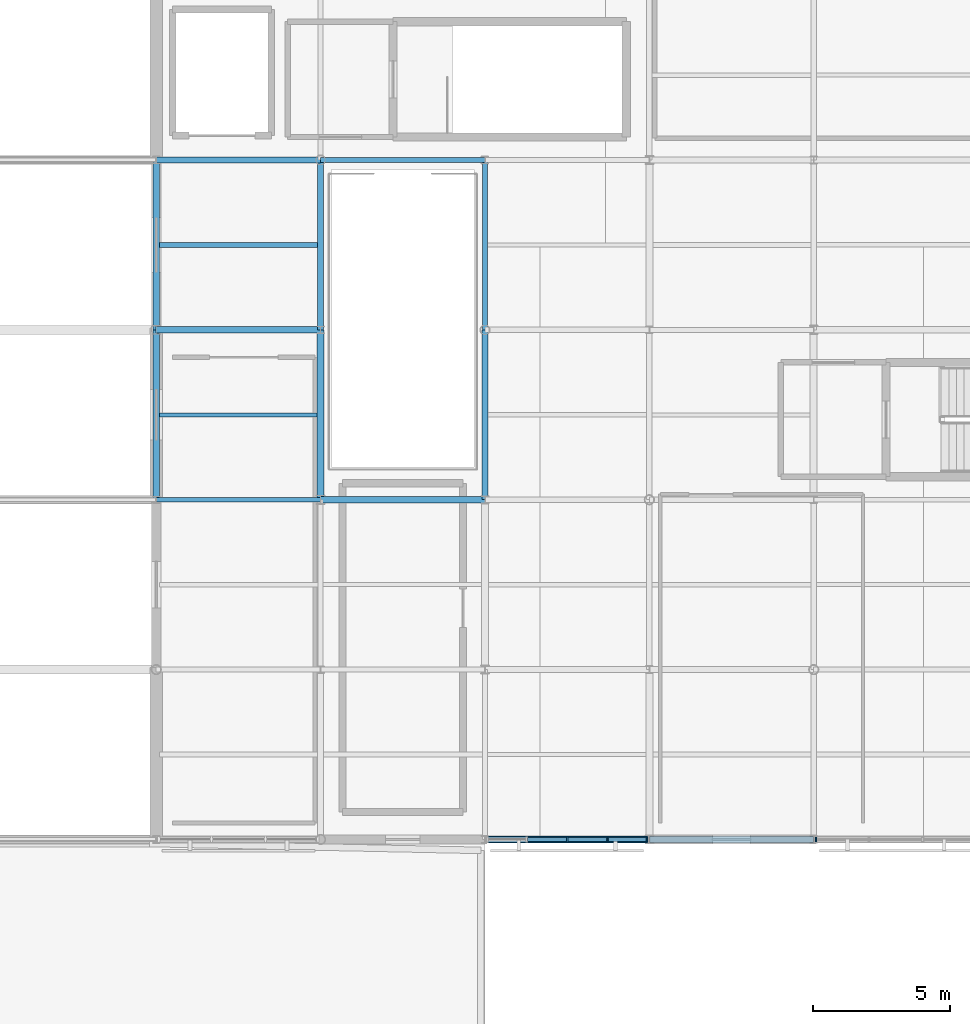
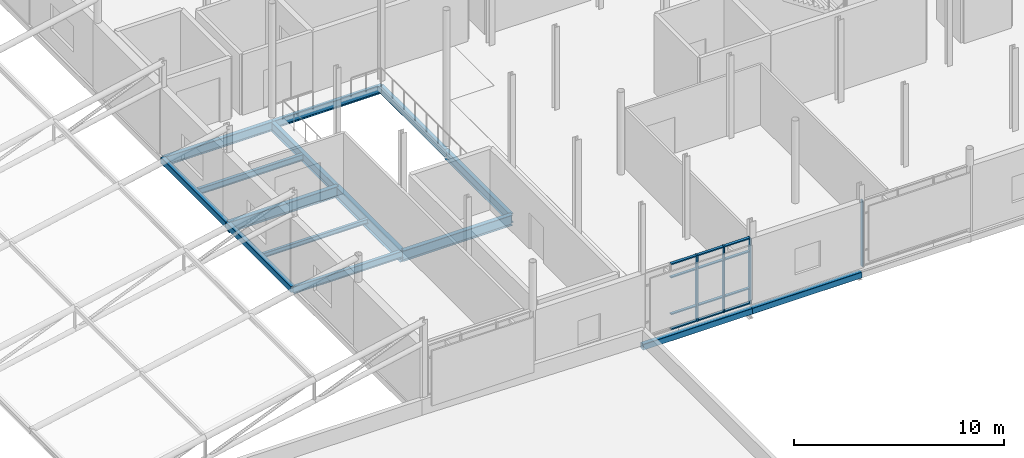
# One storey, part 22 of 84: 16 members, 15 beams, 2 elements without a shape of their own.
"""IFC4 building model written with IfcOpenShell, lengths in metres."""

from ifc_helpers import new_model, si_unit, direction, frame, origin, origin_2d, place, context, subcontext, project, spatial, rectangle, hollow_rectangle, i_section, extrude, material, layer, layer_set, material_profile, profile_set, type_object, element, aggregate, save


model = new_model("IFC4")

# Units and contexts
model_context = context("Model", 3, precision=1e-05, world=origin(), true_north=direction((0.0, 1.0)))
body_context = subcontext(model_context, "Body", "Model", "MODEL_VIEW")
ifc_project = project(units=[si_unit("LENGTHUNIT", "METRE"), si_unit("AREAUNIT", "SQUARE_METRE"), si_unit("VOLUMEUNIT", "CUBIC_METRE"), si_unit("PLANEANGLEUNIT", "RADIAN"), si_unit("MASSUNIT", "GRAM", prefix="KILO")], contexts=[model_context])

# Site, building, storey
site_placement = place(None, origin())
site = spatial("IfcSite", under=ifc_project, at=site_placement, CompositionType="ELEMENT")
building_placement = place(site_placement, origin())
building = spatial("IfcBuilding", under=site, at=building_placement, Name="Mirzam Square Science Centre", CompositionType="ELEMENT")
storey_placement = place(building_placement, frame((0.0, 0.0, 10.800048828125)))
storey = spatial("IfcBuildingStorey", under=building, at=storey_placement, Name="L02", CompositionType="ELEMENT", Elevation=10.800048828125)

# Beams
ifc_material_1 = material(Name="Steel S355", Category="steel")
ifc_material_profile_1 = material_profile(ifc_material_1, i_section(OverallWidth=0.1787109375, OverallDepth=0.409423828125, WebThickness=0.0087890625, FlangeThickness=0.014404296875, FilletRadius=0.01025390625, at=origin_2d()), Name="406x178x67UB")
ifc_profile_set_1 = profile_set([ifc_material_profile_1], Name="Steel S355")
beam_type_1 = type_object("IfcBeamType", Name="BM-UB406", PredefinedType="BEAM", material=ifc_profile_set_1)
beam_1_placement = place(storey_placement, frame((18.0, 49.60009765625, -0.46484375), z_axis=(1.0, 0.0, 0.0), x_axis=(0.0, 1.0, 0.0)))
element("IfcBeam", 1, at=beam_1_placement, inside=storey, type_object=beam_type_1, Name="L02 girder X4-9", PredefinedType="BEAM", context=body_context, shape_type="SweptSolid", body=[
    extrude(i_section(OverallWidth=0.1787109375, OverallDepth=0.409423828125, WebThickness=0.0087890625, FlangeThickness=0.014404296875, FilletRadius=0.01025390625, at=origin_2d()), origin(), (0.0, 0.0, 1.0), 6.0),
])
ifc_material_profile_2 = material_profile(ifc_material_1, i_section(OverallWidth=0.19140625, OverallDepth=0.4599609375, WebThickness=0.010009765625, FlangeThickness=0.01611328125, FilletRadius=0.01025390625, at=origin_2d()), Name="457x191x82UB")
ifc_profile_set_2 = profile_set([ifc_material_profile_2], Name="Steel S355")
beam_type_2 = type_object("IfcBeamType", Name="BM-UB457", PredefinedType="BEAM", material=ifc_profile_set_2)
beam_2_placement = place(storey_placement, frame((24.0, 62.0, -0.489990234375), z_axis=(1.0, 0.0, 0.0), x_axis=(0.0, 1.0, 0.0)))
element("IfcBeam", 2, at=beam_2_placement, inside=storey, type_object=beam_type_2, Name="L02 girder X5-11", PredefinedType="BEAM", context=body_context, shape_type="SweptSolid", body=[
    extrude(i_section(OverallWidth=0.19140625, OverallDepth=0.4599609375, WebThickness=0.010009765625, FlangeThickness=0.01611328125, FilletRadius=0.01025390625, at=origin_2d()), origin(), (0.0, 0.0, 1.0), 6.0),
])
beam_3_placement = place(storey_placement, frame((30.0, 55.800048828125, -0.489990234375), z_axis=(0.0, 1.0, 0.0), x_axis=(-1.0, 0.0, 0.0)))
element("IfcBeam", 3, at=beam_3_placement, inside=storey, type_object=beam_type_2, Name="L02 girder Y6-10", PredefinedType="BEAM", context=body_context, shape_type="SweptSolid", body=[
    extrude(i_section(OverallWidth=0.19140625, OverallDepth=0.4599609375, WebThickness=0.010009765625, FlangeThickness=0.01611328125, FilletRadius=0.01025390625, at=origin_2d()), origin(), (0.0, 0.0, 1.0), 6.199951171875),
])
ifc_material_profile_3 = material_profile(ifc_material_1, i_section(OverallWidth=0.2099609375, OverallDepth=0.53662109375, WebThickness=0.0107421875, FlangeThickness=0.017333984375, FilletRadius=0.0126953125, at=origin_2d()), Name="533x210x101UB")
ifc_profile_set_3 = profile_set([ifc_material_profile_3], Name="Steel S355")
beam_type_3 = type_object("IfcBeamType", Name="BM-UB533", PredefinedType="BEAM", material=ifc_profile_set_3)
beam_4_placement = place(storey_placement, frame((18.0, 62.0, -0.528564453125), z_axis=(1.0, 0.0, 0.0), x_axis=(0.0, 1.0, 0.0)))
element("IfcBeam", 4, at=beam_4_placement, inside=storey, type_object=beam_type_3, Name="L02 girder X4-11", PredefinedType="BEAM", context=body_context, shape_type="SweptSolid", body=[
    extrude(i_section(OverallWidth=0.2099609375, OverallDepth=0.53662109375, WebThickness=0.0107421875, FlangeThickness=0.017333984375, FilletRadius=0.0126953125, at=origin_2d()), origin(), (0.0, 0.0, 1.0), 6.0),
])
for number, where, z_axis, x_axis, name in (
    (5, (24.0, 55.800048828125, -0.528564453125), (0.0, 1.0, 0.0), (-1.0, 0.0, 0.0), "L02 girder Y5-10"),
    (6, (30.0, 49.60009765625, -0.528564453125), (0.0, 1.0, 0.0), (-1.0, 0.0, 0.0), "L02 girder Y6-9"),
):
    element("IfcBeam", number, at=place(storey_placement, frame(where, z_axis=z_axis, x_axis=x_axis)), inside=storey, type_object=beam_type_3, Name=name, PredefinedType="BEAM", context=body_context, shape_type="SweptSolid", body=[
        extrude(i_section(OverallWidth=0.2099609375, OverallDepth=0.53662109375, WebThickness=0.0107421875, FlangeThickness=0.017333984375, FilletRadius=0.0126953125, at=origin_2d()), origin(), (0.0, 0.0, 1.0), 6.199951171875),
    ])
ifc_material_profile_4 = material_profile(ifc_material_1, i_section(OverallWidth=0.22900390625, OverallDepth=0.6123046875, WebThickness=0.011962890625, FlangeThickness=0.01953125, FilletRadius=0.0126953125, at=origin_2d()), Name="610x229x125UB")
ifc_profile_set_4 = profile_set([ifc_material_profile_4], Name="Steel S355")
beam_type_4 = type_object("IfcBeamType", Name="BM-UB610", PredefinedType="BEAM", material=ifc_profile_set_4)
for number, where, z_axis, x_axis, name in (
    (7, (24.0, 49.60009765625, -0.566162109375), (1.0, 0.0, 0.0), (0.0, 1.0, 0.0), "L02 girder X5-9"),
    (8, (18.0, 55.800048828125, -0.566162109375), (1.0, 0.0, 0.0), (0.0, 1.0, 0.0), "L02 girder X4-10"),
):
    element("IfcBeam", number, at=place(storey_placement, frame(where, z_axis=z_axis, x_axis=x_axis)), inside=storey, type_object=beam_type_4, Name=name, PredefinedType="BEAM", context=body_context, shape_type="SweptSolid", body=[
        extrude(i_section(OverallWidth=0.22900390625, OverallDepth=0.6123046875, WebThickness=0.011962890625, FlangeThickness=0.01953125, FilletRadius=0.0126953125, at=origin_2d()), origin(), (0.0, 0.0, 1.0), 6.0),
    ])
ifc_material_profile_5 = material_profile(ifc_material_1, i_section(OverallWidth=0.25439453125, OverallDepth=0.6875, WebThickness=0.01318359375, FlangeThickness=0.02099609375, FilletRadius=0.01513671875, at=origin_2d()), Name="686x254x152UB")
ifc_profile_set_5 = profile_set([ifc_material_profile_5], Name="Steel S355")
beam_type_5 = type_object("IfcBeamType", Name="BM-UB686", PredefinedType="BEAM", material=ifc_profile_set_5)
beam_5_placement = place(storey_placement, frame((24.0, 49.60009765625, -0.603759765625), z_axis=(0.0, 1.0, 0.0), x_axis=(-1.0, 0.0, 0.0)))
element("IfcBeam", 9, at=beam_5_placement, inside=storey, type_object=beam_type_5, Name="L02 girder Y5-9", PredefinedType="BEAM", context=body_context, shape_type="SweptSolid", body=[
    extrude(i_section(OverallWidth=0.25439453125, OverallDepth=0.6875, WebThickness=0.01318359375, FlangeThickness=0.02099609375, FilletRadius=0.01513671875, at=origin_2d()), origin(), (0.0, 0.0, 1.0), 6.199951171875),
])

# Curtain wall, member
ifc_material_2 = material(Name="Anodised Aluminium and Low-E Solar Glass", Category="aluminium")
ifc_layer_1 = layer(ifc_material_2, 0.199951171875)
ifc_layer_set_1 = layer_set([ifc_layer_1], Name="CW-PARK-B")
curtain_wall_type_1 = type_object("IfcCurtainWallType", Name="CW-PARK-B", PredefinedType="USERDEFINED", material=ifc_layer_set_1)
curtain_wall_1_placement = place(storey_placement, origin())
curtain_wall_1 = element("IfcCurtainWall", 10, at=curtain_wall_1_placement, inside=storey, type_object=curtain_wall_type_1, Name="L02 unitised curtain wall 29", ObjectType="UNITISED CURTAIN WALL", PredefinedType="USERDEFINED")
ifc_material_3 = material(Name="Anodised Architectural Aluminium 6063-T6", Category="aluminium")
ifc_material_profile_6 = material_profile(ifc_material_3, rectangle(XDim=0.06005859375, YDim=0.159912109375, at=origin_2d()), Name="ALU-MULL-160x60x4")
ifc_profile_set_6 = profile_set([ifc_material_profile_6], Name="Anodised Architectural Aluminium 6063-T6")
member_type_1 = type_object("IfcMemberType", Name="CWM-160", PredefinedType="MULLION", material=ifc_profile_set_6)
member_1_placement = place(storey_placement, frame((42.0849609375, 37.199951171875, 0.0), z_axis=(0.0, 0.0, 1.0), x_axis=(1.0, 0.0, 0.0)))
member_1 = element("IfcMember", 11, at=member_1_placement, type_object=member_type_1, Name="CW-02 mullion 1", PredefinedType="MULLION", context=body_context, shape_type="SweptSolid", body=[
    extrude(rectangle(XDim=0.06005859375, YDim=0.159912109375, at=origin_2d()), origin(), (0.0, 0.0, 1.0), 3.83984375),
])
aggregate(curtain_wall_1, [member_1])

# Curtain wall, members
ifc_layer_2 = layer(ifc_material_2, 0.179931640625)
ifc_layer_set_2 = layer_set([ifc_layer_2], Name="CW-LINK-A")
curtain_wall_type_2 = type_object("IfcCurtainWallType", Name="CW-LINK-A", PredefinedType="USERDEFINED", material=ifc_layer_set_2)
curtain_wall_2_placement = place(storey_placement, origin())
curtain_wall_2 = element("IfcCurtainWall", 12, at=curtain_wall_2_placement, inside=storey, type_object=curtain_wall_type_2, Name="L02 unitised curtain wall 28", ObjectType="UNITISED CURTAIN WALL", PredefinedType="USERDEFINED")
ifc_material_profile_7 = material_profile(ifc_material_3, rectangle(XDim=0.06494140625, YDim=0.199951171875, at=origin_2d()), Name="ALU-MULL-200x65x5")
ifc_profile_set_7 = profile_set([ifc_material_profile_7], Name="Anodised Architectural Aluminium 6063-T6")
member_type_2 = type_object("IfcMemberType", Name="CWM-200", PredefinedType="MULLION", material=ifc_profile_set_7)
member_2_placement = place(storey_placement, frame((33.0, 37.199951171875, 0.0), z_axis=(0.0, 0.0, 1.0), x_axis=(1.0, 0.0, 0.0)))
member_2 = element("IfcMember", 13, at=member_2_placement, type_object=member_type_2, Name="CW-08 mullion 3", PredefinedType="MULLION", context=body_context, shape_type="SweptSolid", body=[
    extrude(rectangle(XDim=0.06494140625, YDim=0.199951171875, at=origin_2d()), origin(), (0.0, 0.0, 1.0), 3.83984375),
])
member_3_placement = place(storey_placement, frame((34.472412109375, 37.199951171875, 0.0), z_axis=(0.0, 0.0, 1.0), x_axis=(1.0, 0.0, 0.0)))
member_3 = element("IfcMember", 14, at=member_3_placement, type_object=member_type_2, Name="CW-08 mullion 4", PredefinedType="MULLION", context=body_context, shape_type="SweptSolid", body=[
    extrude(rectangle(XDim=0.06494140625, YDim=0.199951171875, at=origin_2d()), origin(), (0.0, 0.0, 1.0), 3.83984375),
])
member_4_placement = place(storey_placement, frame((35.91259765625, 37.199951171875, 0.0), z_axis=(0.0, 0.0, 1.0), x_axis=(1.0, 0.0, 0.0)))
member_4 = element("IfcMember", 15, at=member_4_placement, type_object=member_type_2, Name="CW-08 mullion 5", PredefinedType="MULLION", context=body_context, shape_type="SweptSolid", body=[
    extrude(rectangle(XDim=0.06494140625, YDim=0.199951171875, at=origin_2d()), origin(), (0.0, 0.0, 1.0), 3.83984375),
])
ifc_material_profile_8 = material_profile(ifc_material_3, rectangle(XDim=0.14990234375, YDim=0.06494140625, at=origin_2d()), Name="ALU-TRAN-150x65x4")
ifc_profile_set_8 = profile_set([ifc_material_profile_8], Name="Anodised Architectural Aluminium 6063-T6")
member_type_3 = type_object("IfcMemberType", Name="CWT-150", PredefinedType="USERDEFINED", material=ifc_profile_set_8)
member_5_placement = place(storey_placement, frame((31.56005859375, 37.199951171875, 0.032470703125), z_axis=(1.0, 0.0, 0.0), x_axis=(0.0, 1.0, 0.0)))
member_5 = element("IfcMember", 16, at=member_5_placement, type_object=member_type_3, Name="CW-08 transom 2.1", ObjectType="TRANSOM", PredefinedType="USERDEFINED", context=body_context, shape_type="SweptSolid", body=[
    extrude(rectangle(XDim=0.14990234375, YDim=0.06494140625, at=origin_2d()), origin(), (0.0, 0.0, 1.0), 1.407470703125),
])
member_6_placement = place(storey_placement, frame((31.56005859375, 37.199951171875, 0.89990234375), z_axis=(1.0, 0.0, 0.0), x_axis=(0.0, 1.0, 0.0)))
member_6 = element("IfcMember", 17, at=member_6_placement, type_object=member_type_3, Name="CW-08 transom 2.2", ObjectType="TRANSOM", PredefinedType="USERDEFINED", context=body_context, shape_type="SweptSolid", body=[
    extrude(rectangle(XDim=0.14990234375, YDim=0.06494140625, at=origin_2d()), origin(), (0.0, 0.0, 1.0), 1.407470703125),
])
member_7_placement = place(storey_placement, frame((31.56005859375, 37.199951171875, 3.0400390625), z_axis=(1.0, 0.0, 0.0), x_axis=(0.0, 1.0, 0.0)))
member_7 = element("IfcMember", 18, at=member_7_placement, type_object=member_type_3, Name="CW-08 transom 2.3", ObjectType="TRANSOM", PredefinedType="USERDEFINED", context=body_context, shape_type="SweptSolid", body=[
    extrude(rectangle(XDim=0.14990234375, YDim=0.06494140625, at=origin_2d()), origin(), (0.0, 0.0, 1.0), 1.407470703125),
])
member_8_placement = place(storey_placement, frame((31.56005859375, 37.199951171875, 3.807373046875), z_axis=(1.0, 0.0, 0.0), x_axis=(0.0, 1.0, 0.0)))
member_8 = element("IfcMember", 19, at=member_8_placement, type_object=member_type_3, Name="CW-08 transom 2.4", ObjectType="TRANSOM", PredefinedType="USERDEFINED", context=body_context, shape_type="SweptSolid", body=[
    extrude(rectangle(XDim=0.14990234375, YDim=0.06494140625, at=origin_2d()), origin(), (0.0, 0.0, 1.0), 1.407470703125),
])
member_9_placement = place(storey_placement, frame((33.032470703125, 37.199951171875, 0.032470703125), z_axis=(1.0, 0.0, 0.0), x_axis=(0.0, 1.0, 0.0)))
member_9 = element("IfcMember", 20, at=member_9_placement, type_object=member_type_3, Name="CW-08 transom 3.1", ObjectType="TRANSOM", PredefinedType="USERDEFINED", context=body_context, shape_type="SweptSolid", body=[
    extrude(rectangle(XDim=0.14990234375, YDim=0.06494140625, at=origin_2d()), origin(), (0.0, 0.0, 1.0), 1.407470703125),
])
member_10_placement = place(storey_placement, frame((33.032470703125, 37.199951171875, 0.89990234375), z_axis=(1.0, 0.0, 0.0), x_axis=(0.0, 1.0, 0.0)))
member_10 = element("IfcMember", 21, at=member_10_placement, type_object=member_type_3, Name="CW-08 transom 3.2", ObjectType="TRANSOM", PredefinedType="USERDEFINED", context=body_context, shape_type="SweptSolid", body=[
    extrude(rectangle(XDim=0.14990234375, YDim=0.06494140625, at=origin_2d()), origin(), (0.0, 0.0, 1.0), 1.407470703125),
])
member_11_placement = place(storey_placement, frame((33.032470703125, 37.199951171875, 3.0400390625), z_axis=(1.0, 0.0, 0.0), x_axis=(0.0, 1.0, 0.0)))
member_11 = element("IfcMember", 22, at=member_11_placement, type_object=member_type_3, Name="CW-08 transom 3.3", ObjectType="TRANSOM", PredefinedType="USERDEFINED", context=body_context, shape_type="SweptSolid", body=[
    extrude(rectangle(XDim=0.14990234375, YDim=0.06494140625, at=origin_2d()), origin(), (0.0, 0.0, 1.0), 1.407470703125),
])
member_12_placement = place(storey_placement, frame((33.032470703125, 37.199951171875, 3.807373046875), z_axis=(1.0, 0.0, 0.0), x_axis=(0.0, 1.0, 0.0)))
member_12 = element("IfcMember", 23, at=member_12_placement, type_object=member_type_3, Name="CW-08 transom 3.4", ObjectType="TRANSOM", PredefinedType="USERDEFINED", context=body_context, shape_type="SweptSolid", body=[
    extrude(rectangle(XDim=0.14990234375, YDim=0.06494140625, at=origin_2d()), origin(), (0.0, 0.0, 1.0), 1.407470703125),
])
member_13_placement = place(storey_placement, frame((34.5048828125, 37.199951171875, 0.032470703125), z_axis=(1.0, 0.0, 0.0), x_axis=(0.0, 1.0, 0.0)))
member_13 = element("IfcMember", 24, at=member_13_placement, type_object=member_type_3, Name="CW-08 transom 4.1", ObjectType="TRANSOM", PredefinedType="USERDEFINED", context=body_context, shape_type="SweptSolid", body=[
    extrude(rectangle(XDim=0.14990234375, YDim=0.06494140625, at=origin_2d()), origin(), (0.0, 0.0, 1.0), 1.375),
])
member_14_placement = place(storey_placement, frame((34.5048828125, 37.199951171875, 0.89990234375), z_axis=(1.0, 0.0, 0.0), x_axis=(0.0, 1.0, 0.0)))
member_14 = element("IfcMember", 25, at=member_14_placement, type_object=member_type_3, Name="CW-08 transom 4.2", ObjectType="TRANSOM", PredefinedType="USERDEFINED", context=body_context, shape_type="SweptSolid", body=[
    extrude(rectangle(XDim=0.14990234375, YDim=0.06494140625, at=origin_2d()), origin(), (0.0, 0.0, 1.0), 1.375),
])
member_15_placement = place(storey_placement, frame((34.5048828125, 37.199951171875, 3.0400390625), z_axis=(1.0, 0.0, 0.0), x_axis=(0.0, 1.0, 0.0)))
member_15 = element("IfcMember", 26, at=member_15_placement, type_object=member_type_3, Name="CW-08 transom 4.3", ObjectType="TRANSOM", PredefinedType="USERDEFINED", context=body_context, shape_type="SweptSolid", body=[
    extrude(rectangle(XDim=0.14990234375, YDim=0.06494140625, at=origin_2d()), origin(), (0.0, 0.0, 1.0), 1.375),
])
member_16_placement = place(storey_placement, frame((34.5048828125, 37.199951171875, 3.807373046875), z_axis=(1.0, 0.0, 0.0), x_axis=(0.0, 1.0, 0.0)))
member_16 = element("IfcMember", 27, at=member_16_placement, type_object=member_type_3, Name="CW-08 transom 4.4", ObjectType="TRANSOM", PredefinedType="USERDEFINED", context=body_context, shape_type="SweptSolid", body=[
    extrude(rectangle(XDim=0.14990234375, YDim=0.06494140625, at=origin_2d()), origin(), (0.0, 0.0, 1.0), 1.375),
])
aggregate(curtain_wall_2, [member_2, member_3, member_4, member_5, member_6, member_7, member_8, member_9, member_10, member_11, member_12, member_13, member_14, member_15, member_16])

# Beams
ifc_material_profile_9 = material_profile(ifc_material_1, i_section(OverallWidth=0.146484375, OverallDepth=0.256103515625, WebThickness=0.00634765625, FlangeThickness=0.010986328125, FilletRadius=0.007568359375, at=origin_2d()), Name="254x146x37UB")
ifc_profile_set_9 = profile_set([ifc_material_profile_9], Name="Steel S355")
beam_type_6 = type_object("IfcBeamType", Name="JS-UB254", PredefinedType="JOIST", material=ifc_profile_set_9)
beam_6_placement = place(storey_placement, frame((18.125, 52.699951171875, -0.387939453125), z_axis=(1.0, 0.0, 0.0), x_axis=(0.0, 1.0, 0.0)))
element("IfcBeam", 28, at=beam_6_placement, inside=storey, type_object=beam_type_6, Name="L02 composite joist 4-9", PredefinedType="JOIST", context=body_context, shape_type="SweptSolid", body=[
    extrude(i_section(OverallWidth=0.146484375, OverallDepth=0.256103515625, WebThickness=0.00634765625, FlangeThickness=0.010986328125, FilletRadius=0.007568359375, at=origin_2d()), origin(), (0.0, 0.0, 1.0), 5.747802734375),
])
ifc_material_profile_10 = material_profile(ifc_material_1, i_section(OverallWidth=0.172119140625, OverallDepth=0.35791015625, WebThickness=0.008056640625, FlangeThickness=0.012939453125, FilletRadius=0.01025390625, at=origin_2d()), Name="356x171x57UB")
ifc_profile_set_10 = profile_set([ifc_material_profile_10], Name="Steel S355")
beam_type_7 = type_object("IfcBeamType", Name="JS-UB356", PredefinedType="JOIST", material=ifc_profile_set_10)
beam_7_placement = place(storey_placement, frame((18.125, 58.89990234375, -0.43896484375), z_axis=(1.0, 0.0, 0.0), x_axis=(0.0, 1.0, 0.0)))
element("IfcBeam", 29, at=beam_7_placement, inside=storey, type_object=beam_type_7, Name="L02 composite joist 4-10", PredefinedType="JOIST", context=body_context, shape_type="SweptSolid", body=[
    extrude(i_section(OverallWidth=0.172119140625, OverallDepth=0.35791015625, WebThickness=0.008056640625, FlangeThickness=0.012939453125, FilletRadius=0.01025390625, at=origin_2d()), origin(), (0.0, 0.0, 1.0), 5.77001953125),
])
ifc_material_profile_11 = material_profile(ifc_material_1, hollow_rectangle(XDim=0.25, YDim=0.35009765625, WallThickness=0.012451171875, InnerFilletRadius=0.012451171875, OuterFilletRadius=0.02490234375, at=origin_2d()), Name="350x250x12.5RHS")
ifc_profile_set_11 = profile_set([ifc_material_profile_11], Name="Steel S355")
beam_type_8 = type_object("IfcBeamType", Name="SP-RHS350", PredefinedType="SPANDREL", material=ifc_profile_set_11)
for number, where, z_axis, x_axis, name in (
    (30, (30.0, 37.199951171875, -0.43505859375), (1.0, 0.0, 0.0), (0.0, 1.0, 0.0), "L02 girder X6-7"),
    (31, (36.0, 37.199951171875, -0.43505859375), (1.0, 0.0, 0.0), (0.0, 1.0, 0.0), "L02 girder X7-7"),
):
    element("IfcBeam", number, at=place(storey_placement, frame(where, z_axis=z_axis, x_axis=x_axis)), inside=storey, type_object=beam_type_8, Name=name, PredefinedType="SPANDREL", context=body_context, shape_type="SweptSolid", body=[
        extrude(hollow_rectangle(XDim=0.25, YDim=0.35009765625, WallThickness=0.012451171875, InnerFilletRadius=0.012451171875, OuterFilletRadius=0.02490234375, at=origin_2d()), origin(), (0.0, 0.0, 1.0), 6.0),
    ])
for number, where, z_axis, x_axis, name in (
    (32, (18.0, 49.60009765625, -0.43505859375), (0.0, 1.0, 0.0), (-1.0, 0.0, 0.0), "L02 girder Y4-9"),
    (33, (18.0, 55.800048828125, -0.43505859375), (0.0, 1.0, 0.0), (-1.0, 0.0, 0.0), "L02 girder Y4-10"),
):
    element("IfcBeam", number, at=place(storey_placement, frame(where, z_axis=z_axis, x_axis=x_axis)), inside=storey, type_object=beam_type_8, Name=name, PredefinedType="SPANDREL", context=body_context, shape_type="SweptSolid", body=[
        extrude(hollow_rectangle(XDim=0.25, YDim=0.35009765625, WallThickness=0.012451171875, InnerFilletRadius=0.012451171875, OuterFilletRadius=0.02490234375, at=origin_2d()), origin(), (0.0, 0.0, 1.0), 6.199951171875),
    ])

save(model, "model.ifc")
